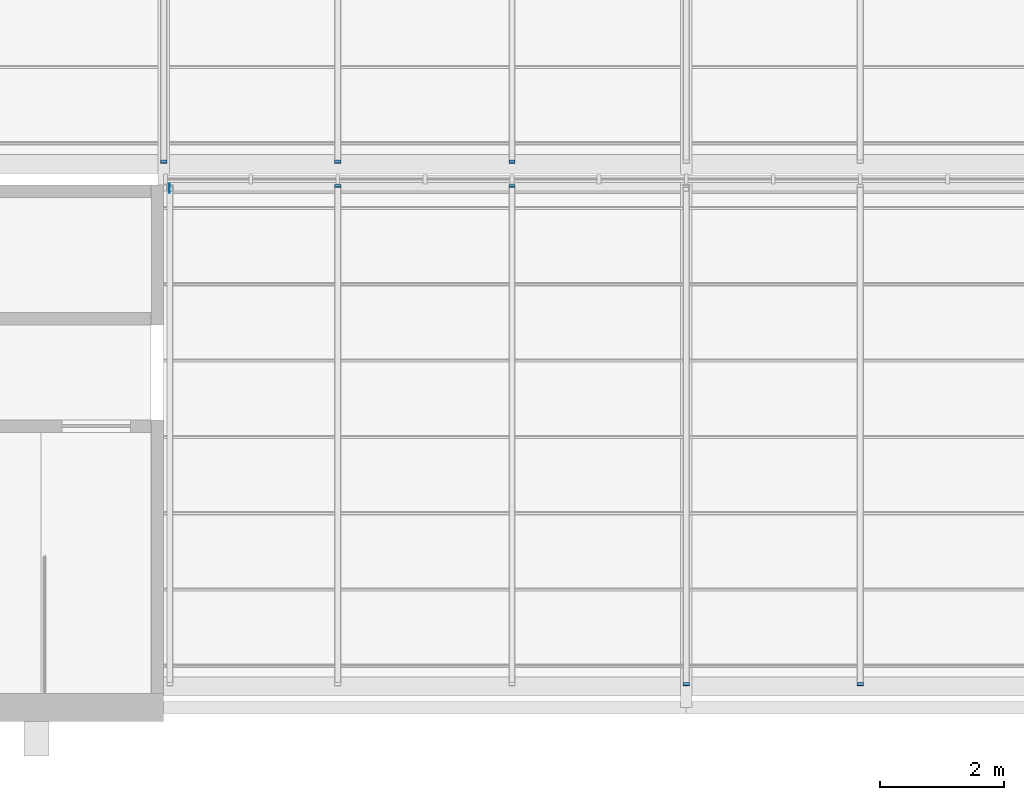
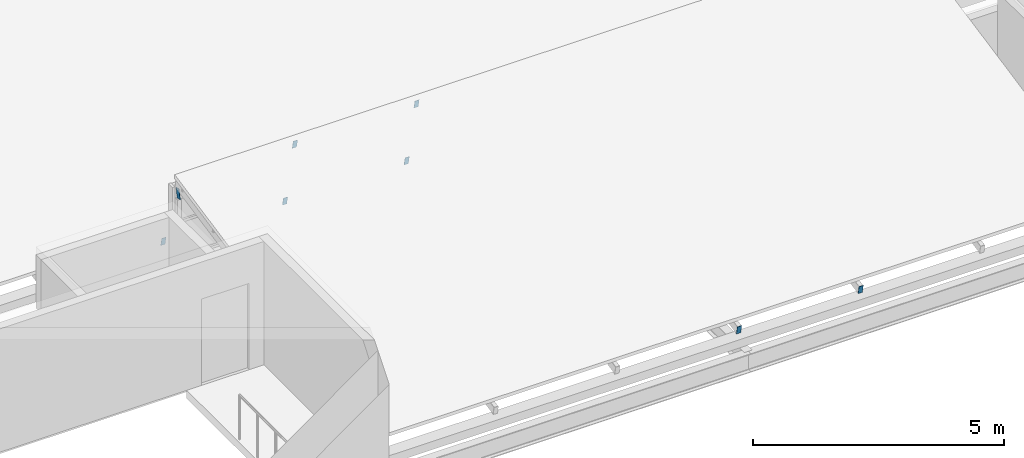
# One storey, part 94 of 121: 8 discrete accessories.
"""IFC4 building model written with IfcOpenShell, lengths in metres."""

import ifcopenshell
import ifcopenshell.guid

model = None  # the IFC model being written
_history = None  # IfcOwnerHistory: only IFC2X3 demands one
_inside = {}  # id of a spatial element -> (the spatial element, [elements in it])
_under = {}  # id of a project, library or spatial element -> (it, [spatial elements below it])
_declared = {}  # id of a project -> (the project, [libraries it declares])
_typed = {}  # id of a type object -> (the type object, [elements of that type])
_made_of = {}  # id of a material, layer set ... -> (it, [elements and type objects made of it])


def new_model(schema):
    """Start an empty IFC model of exactly this schema.

    Asked for "IFC4X3", IfcOpenShell would pick the latest addendum, in which some entities
    have other attributes; the version numbers below select the first issue.
    IFC2X3 requires an IfcOwnerHistory on every rooted entity: one is made here for all.
    """
    global model, _history
    if schema == "IFC4X3":
        model = ifcopenshell.file(schema_version=(4, 3, 0, 0))
    else:
        model = ifcopenshell.file(schema=schema)
    _inside.clear()
    _under.clear()
    _declared.clear()
    _typed.clear()
    _made_of.clear()
    _history = None
    if model.schema == "IFC2X3":
        org = make("IfcOrganization", Name="unknown")
        user = make(
            "IfcPersonAndOrganization",
            ThePerson=make("IfcPerson", FamilyName="unknown"),
            TheOrganization=org,
        )
        app = make(
            "IfcApplication",
            ApplicationDeveloper=org,
            Version="unknown",
            ApplicationFullName="unknown",
            ApplicationIdentifier="unknown",
        )
        _history = make(
            "IfcOwnerHistory",
            OwningUser=user,
            OwningApplication=app,
            ChangeAction="ADDED",
            CreationDate=0,
        )
    return model


def make(cls, **values):
    """One entity of the class cls with the attributes given. An attribute that is None is left unset."""
    return model.create_entity(
        cls, **{name: value for name, value in values.items() if value is not None}
    )


def rooted(cls, **values):
    """An entity with a GlobalId (a new one), such as an element, a storey or a relation."""
    return make(cls, GlobalId=ifcopenshell.guid.new(), OwnerHistory=_history, **values)


def si_unit(unit_type, name, prefix=None):
    """IfcSIUnit, for example si_unit("LENGTHUNIT", "METRE", prefix="MILLI")."""
    return make("IfcSIUnit", UnitType=unit_type, Prefix=prefix, Name=name)


def assignment(units):
    """IfcUnitAssignment: the units of a project."""
    return None if units is None else make("IfcUnitAssignment", Units=units)


def point(xyz):
    """IfcCartesianPoint."""
    return None if xyz is None else make("IfcCartesianPoint", Coordinates=xyz)


def direction(xyz):
    """IfcDirection."""
    return None if xyz is None else make("IfcDirection", DirectionRatios=xyz)


def frame(location, z_axis=None, x_axis=None):
    """IfcAxis2Placement3D, a coordinate frame: its origin and axes. An axis left out is left unset."""
    return make(
        "IfcAxis2Placement3D",
        Location=point(location),
        Axis=direction(z_axis),
        RefDirection=direction(x_axis),
    )


def frame_2d(location, x_axis=None):
    """IfcAxis2Placement2D, a coordinate frame in the plane: its origin and x axis."""
    return make(
        "IfcAxis2Placement2D", Location=point(location), RefDirection=direction(x_axis)
    )


def origin():
    """The frame at (0, 0, 0) with its axes left unset."""
    return frame((0.0, 0.0, 0.0))


def origin_2d():
    """The frame at (0, 0) in the plane with its x axis left unset."""
    return frame_2d((0.0, 0.0))


def place(relative_to, where):
    """IfcLocalPlacement: puts the frame where relative to a parent placement (None: the world)."""
    return make(
        "IfcLocalPlacement", PlacementRelTo=relative_to, RelativePlacement=where
    )


def context(
    kind, dimensions, precision=None, world=None, true_north=None, identifier=None
):
    """IfcGeometricRepresentationContext, for example the 3D "Model" context."""
    return make(
        "IfcGeometricRepresentationContext",
        ContextIdentifier=identifier,
        ContextType=kind,
        CoordinateSpaceDimension=dimensions,
        Precision=precision,
        WorldCoordinateSystem=world,
        TrueNorth=true_north,
    )


def subcontext(parent, identifier, kind, view, scale=None):
    """IfcGeometricRepresentationSubContext, for example "Body" below "Model"."""
    return make(
        "IfcGeometricRepresentationSubContext",
        ContextIdentifier=identifier,
        ContextType=kind,
        ParentContext=parent,
        TargetScale=scale,
        TargetView=view,
    )


def project(units=None, contexts=None):
    """IfcProject with its units and contexts."""
    return rooted(
        "IfcProject",
        Name="project",
        RepresentationContexts=contexts,
        UnitsInContext=assignment(units),
    )


def spatial(cls, under=None, at=None, **own):
    """A site, building, storey or space (cls), placed at a placement, below another one or the project."""
    s = rooted(cls, ObjectPlacement=at, **own)
    if under is not None:
        _under.setdefault(under.id(), (under, []))[1].append(s)
    return s


def profile(cls, at=None, kind="AREA", **sizes):
    """A parametric profile (cls). Its sizes go by their IFC names, for example OverallWidth=200.0."""
    return make(cls, ProfileType=kind, Position=at, **sizes)


def rectangle(**sizes):
    """IfcRectangleProfileDef."""
    return profile("IfcRectangleProfileDef", **sizes)


def extrude(swept, where, along, depth):
    """IfcExtrudedAreaSolid: the profile swept, set in the frame where, extruded along a direction by depth."""
    return make(
        "IfcExtrudedAreaSolid",
        SweptArea=swept,
        Position=where,
        ExtrudedDirection=direction(along),
        Depth=depth,
    )


def shape(context_of_items, identifier, shape_type, items):
    """IfcShapeRepresentation: the items that make up one representation, for example the "Body"."""
    return make(
        "IfcShapeRepresentation",
        ContextOfItems=context_of_items,
        RepresentationIdentifier=identifier,
        RepresentationType=shape_type,
        Items=items,
    )


def material(Name=None, Category=None):
    """IfcMaterial."""
    return make("IfcMaterial", Name=Name, Category=Category)


def material_profile(
    of_material, cross_section, Name=None, Category=None, Priority=None
):
    """IfcMaterialProfile: a cross section and its material."""
    return make(
        "IfcMaterialProfile",
        Name=Name,
        Material=of_material,
        Profile=cross_section,
        Priority=Priority,
        Category=Category,
    )


def profile_set(profiles, Name=None, composite=None):
    """IfcMaterialProfileSet."""
    return make(
        "IfcMaterialProfileSet",
        Name=Name,
        MaterialProfiles=profiles,
        CompositeProfile=composite,
    )


def made_of(thing, what):
    """Note that an element or type object is made of a material, layer set ...; save() writes the relation."""
    if what is not None:
        _made_of.setdefault(what.id(), (what, []))[1].append(thing)
    return thing


def type_object(cls, material=None, **own):
    """A type object (cls), such as IfcWallType, which elements share."""
    return made_of(rooted(cls, **own), material)


def element(
    cls,
    number,
    at=None,
    inside=None,
    cuts=None,
    type_object=None,
    material=None,
    context=None,
    identifier="Body",
    shape_type=None,
    held_by="IfcProductDefinitionShape",
    body=None,
    shapes=None,
    **own,
):
    """One element of the class cls, such as IfcWall. Its Tag is "e" and its number.

    at: its placement. inside: the storey or other place that contains it. cuts: it is an
    opening in that element (IfcRelVoidsElement). A single representation is given by context,
    identifier, shape_type and body (its items); several are given by shapes. held_by: the class
    of the entity that holds the representations. save() writes the other relations.
    """
    e = rooted(cls, Tag="e%d" % number, ObjectPlacement=at, **own)
    if body is not None:
        shapes = [shape(context, identifier, shape_type, body)]
    if shapes is not None:
        e.Representation = make(held_by, Representations=shapes)
    if inside is not None:
        _inside.setdefault(inside.id(), (inside, []))[1].append(e)
    if cuts is not None:
        rooted(
            "IfcRelVoidsElement", RelatingBuildingElement=cuts, RelatedOpeningElement=e
        )
    if type_object is not None:
        _typed.setdefault(type_object.id(), (type_object, []))[1].append(e)
    return made_of(e, material)


def aggregate(whole, parts):
    """IfcRelAggregates: a whole, such as a stair, and the parts it consists of."""
    return rooted("IfcRelAggregates", RelatingObject=whole, RelatedObjects=parts)


def save(model, path):
    """Write the relations noted so far, then the file.

    IfcRelAggregates (storeys below a building ...), IfcRelContainedInSpatialStructure (elements
    in a storey), IfcRelDefinesByType, IfcRelAssociatesMaterial and IfcRelDeclares: one each for
    every whole, place, type object, material and project.
    """
    for whole, parts in _under.values():
        aggregate(whole, parts)
    for where, things in _inside.values():
        rooted(
            "IfcRelContainedInSpatialStructure",
            RelatedElements=things,
            RelatingStructure=where,
        )
    for kind, things in _typed.values():
        rooted("IfcRelDefinesByType", RelatedObjects=things, RelatingType=kind)
    for what, things in _made_of.values():
        rooted("IfcRelAssociatesMaterial", RelatedObjects=things, RelatingMaterial=what)
    for by, libraries in _declared.values():
        rooted("IfcRelDeclares", RelatingContext=by, RelatedDefinitions=libraries)
    model.write(path)


model = new_model("IFC4")

# Units and contexts
model_context = context("Model", 3, precision=1e-05, world=origin(), true_north=direction((0.0, 1.0)))
body_context = subcontext(model_context, "Body", "Model", "MODEL_VIEW")
ifc_project = project(units=[si_unit("LENGTHUNIT", "METRE"), si_unit("AREAUNIT", "SQUARE_METRE"), si_unit("VOLUMEUNIT", "CUBIC_METRE"), si_unit("PLANEANGLEUNIT", "RADIAN"), si_unit("MASSUNIT", "GRAM", prefix="KILO")], contexts=[model_context])

# Site, building, storey
site_placement = place(None, origin())
site = spatial("IfcSite", under=ifc_project, at=site_placement, CompositionType="ELEMENT")
building_placement = place(site_placement, origin())
building = spatial("IfcBuilding", under=site, at=building_placement, Name="Ardhachandra Cancer Care Centre", CompositionType="ELEMENT")
storey_placement = place(building_placement, frame((0.0, 0.0, 9.0)))
storey = spatial("IfcBuildingStorey", under=building, at=storey_placement, Name="L02", CompositionType="ELEMENT", Elevation=9.0)

# Discrete accessories
ifc_material_1 = material(Name="Galvanised flat steel (Steel E250 (IS 2062))", Category="steel")
ifc_material_profile_1 = material_profile(ifc_material_1, rectangle(XDim=0.10009765625, YDim=0.199951171875, at=origin_2d()), Name="Rafter end plate 200 x 100 x 8")
ifc_profile_set_1 = profile_set([ifc_material_profile_1], Name="Galvanised flat steel (Steel E250 (IS 2062))")
discrete_accessory_type_1 = type_object("IfcDiscreteAccessoryType", Name="Rafter end plate 200 x 100 x 8", PredefinedType="BRACKET", material=ifc_profile_set_1)
for number, where, z_axis, x_axis, name in (
    (1, (22.0, 37.7802734375, 1.91796875), (0.0, 0.976900017396, 0.213696878805), (-1.0, 0.0, 0.0), "Rafter end plate T1a.2.2"),
    (2, (24.800048828125, 37.7802734375, 1.91796875), (0.0, 0.976900017396, 0.213696878805), (-1.0, 0.0, 0.0), "Rafter end plate T1a.3.2"),
):
    element("IfcDiscreteAccessory", number, at=place(storey_placement, frame(where, z_axis=z_axis, x_axis=x_axis)), inside=storey, type_object=discrete_accessory_type_1, Name=name, PredefinedType="BRACKET", context=body_context, shape_type="SweptSolid", body=[
        extrude(rectangle(XDim=0.10009765625, YDim=0.199951171875, at=origin_2d()), origin(), (0.0, 0.0, 1.0), 0.008056640625),
    ])
for number, where, z_axis, x_axis, name in (
    (3, (27.60009765625, 29.7802734375, 0.298095703125), (0.0, -0.978234125102, -0.207504208355), (1.0, 0.0, 0.0), "Rafter end plate T1a.4.1"),
    (4, (30.39990234375, 29.7802734375, 0.298095703125), (0.0, -0.978234125102, -0.207504208355), (1.0, 0.0, 0.0), "Rafter end plate T1a.5.1"),
):
    element("IfcDiscreteAccessory", number, at=place(storey_placement, frame(where, z_axis=z_axis, x_axis=x_axis)), inside=storey, type_object=discrete_accessory_type_1, Name=name, PredefinedType="BRACKET", context=body_context, shape_type="SweptSolid", body=[
        extrude(rectangle(XDim=0.10009765625, YDim=0.199951171875, at=origin_2d()), origin(), (0.0, 0.0, 1.0), 0.00830078125),
    ])
for number, where, z_axis, x_axis, name in (
    (5, (19.199951171875, 38.18017578125, 0.298095703125), (0.0, -0.976900017396, -0.213696878805), (1.0, 0.0, 0.0), "Rafter end plate T2a.4.1"),
    (6, (22.0, 38.18017578125, 0.298095703125), (0.0, -0.976900017396, -0.213696878805), (1.0, 0.0, 0.0), "Rafter end plate T2a.5.1"),
    (7, (24.800048828125, 38.18017578125, 0.298095703125), (0.0, -0.976900017396, -0.213696878805), (1.0, 0.0, 0.0), "Rafter end plate T2a.6.1"),
):
    element("IfcDiscreteAccessory", number, at=place(storey_placement, frame(where, z_axis=z_axis, x_axis=x_axis)), inside=storey, type_object=discrete_accessory_type_1, Name=name, PredefinedType="BRACKET", context=body_context, shape_type="SweptSolid", body=[
        extrude(rectangle(XDim=0.10009765625, YDim=0.199951171875, at=origin_2d()), origin(), (0.0, 0.0, 1.0), 0.008056640625),
    ])
ifc_material_2 = material(Name="Galvanised flat steel (Steel E250 (IS 2062))", Category="steel")
ifc_material_profile_2 = material_profile(ifc_material_2, rectangle(XDim=0.1201171875, YDim=0.239990234375, at=origin_2d()), Name="Ridge beam end plate 240 x 120 x 8")
ifc_profile_set_2 = profile_set([ifc_material_profile_2], Name="Galvanised flat steel (Steel E250 (IS 2062))")
discrete_accessory_type_2 = type_object("IfcDiscreteAccessoryType", Name="Ridge beam end plate 240 x 120 x 8", PredefinedType="BRACKET", material=ifc_profile_set_2)
discrete_accessory_placement = place(storey_placement, frame((19.300048828125, 37.75, 1.6875), z_axis=(-1.0, 0.0, 0.0), x_axis=(0.0, -0.980106641092, 0.198471590126)))
element("IfcDiscreteAccessory", 8, at=discrete_accessory_placement, inside=storey, type_object=discrete_accessory_type_2, Name="Ridge beam end plate T1a.1", PredefinedType="BRACKET", context=body_context, shape_type="SweptSolid", body=[
    extrude(rectangle(XDim=0.1201171875, YDim=0.239990234375, at=origin_2d()), origin(), (0.0, 0.0, 1.0), 0.008056640625),
])

save(model, "model.ifc")
